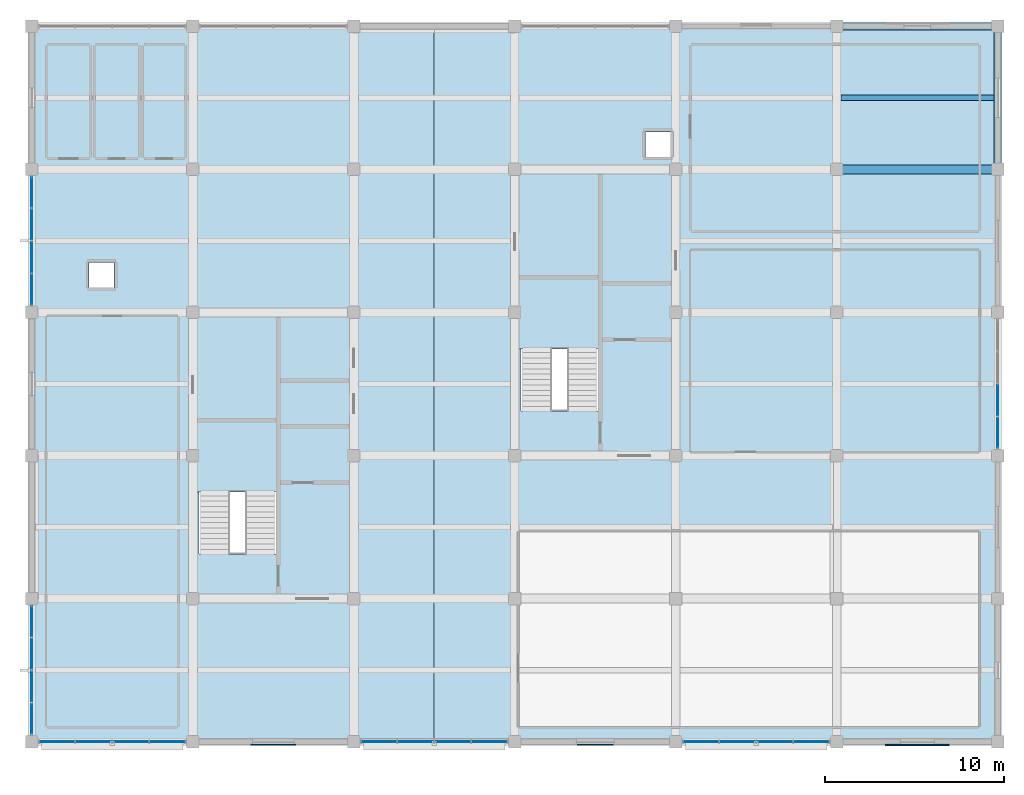
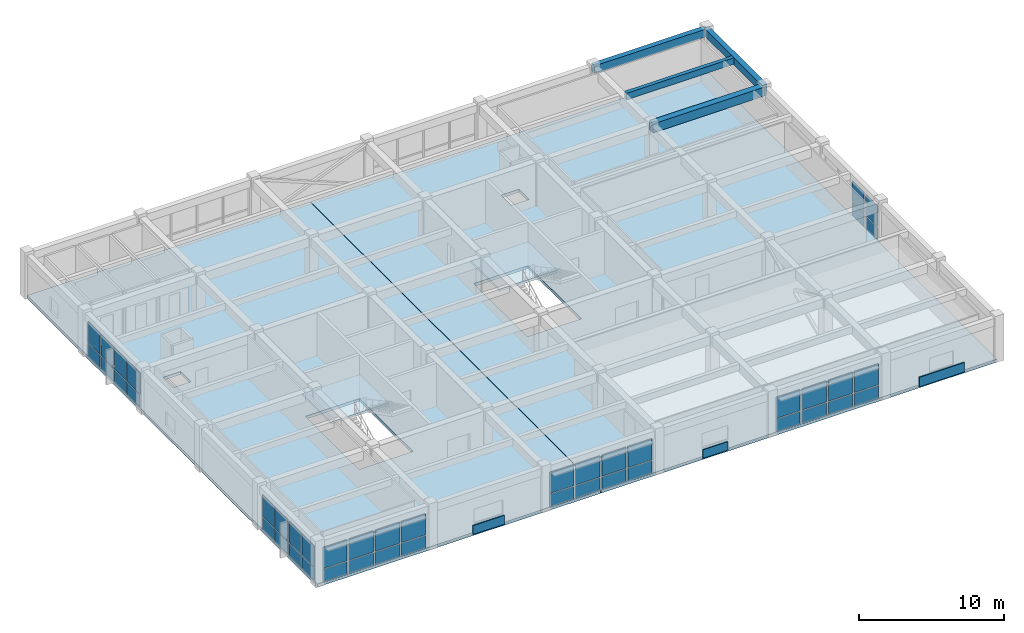
# One storey, part 9 of 13: 47 plates, 4 beams, 4 slabs, 8 elements without a shape of their own.
"""IFC4 building model written with IfcOpenShell, lengths in metres."""

from ifc_helpers import new_model, si_unit, direction, frame, frame_2d, origin, origin_2d, place, context, subcontext, project, spatial, polyline, rectangle, outline, extrude, material, layer, layer_set, material_profile, profile_set, type_object, element, aggregate, save


model = new_model("IFC4")

# Units and contexts
model_context = context("Model", 3, precision=1e-05, world=origin(), true_north=direction((0.0, 1.0)))
body_context = subcontext(model_context, "Body", "Model", "MODEL_VIEW")
ifc_project = project(units=[si_unit("LENGTHUNIT", "METRE"), si_unit("AREAUNIT", "SQUARE_METRE"), si_unit("VOLUMEUNIT", "CUBIC_METRE"), si_unit("PLANEANGLEUNIT", "RADIAN"), si_unit("MASSUNIT", "GRAM", prefix="KILO")], contexts=[model_context])

# Site, building, storey
site_placement = place(None, origin())
site = spatial("IfcSite", under=ifc_project, at=site_placement, CompositionType="ELEMENT")
building_placement = place(site_placement, origin())
building = spatial("IfcBuilding", under=site, at=building_placement, Name="Zaverband Oceanarium and Marine Research Institute", CompositionType="ELEMENT")
storey_placement = place(building_placement, frame((0.0, 0.0, 60.89990234375)))
storey = spatial("IfcBuildingStorey", under=building, at=storey_placement, Name="L15", CompositionType="ELEMENT", Elevation=60.89990234375)

# Beams
ifc_material_1 = material(Name="Concrete C40/50", Category="concrete")
ifc_material_profile_1 = material_profile(ifc_material_1, rectangle(XDim=0.5, YDim=0.75, at=origin_2d()), Name="RC500x750")
ifc_profile_set_1 = profile_set([ifc_material_profile_1], Name="Concrete C40/50")
beam_type_1 = type_object("IfcBeamType", Name="BM-500x750", PredefinedType="BEAM", material=ifc_profile_set_1)
beam_1_placement = place(storey_placement, frame((54.0, 104.0, 3.275146484375), z_axis=(1.0, 0.0, 0.0), x_axis=(0.0, 1.0, 0.0)))
element("IfcBeam", 1, at=beam_1_placement, inside=storey, type_object=beam_type_1, Name="Primary floor girder BM-500x750", PredefinedType="BEAM", context=body_context, shape_type="SweptSolid", body=[
    extrude(rectangle(XDim=0.5, YDim=0.75, at=origin_2d()), origin(), (0.0, 0.0, 1.0), 9.0),
])
ifc_material_profile_2 = material_profile(ifc_material_1, rectangle(XDim=0.300048828125, YDim=0.550048828125, at=origin_2d()), Name="RC300x550")
ifc_profile_set_2 = profile_set([ifc_material_profile_2], Name="Concrete C40/50")
beam_type_2 = type_object("IfcBeamType", Name="JST-300x550", PredefinedType="JOIST", material=ifc_profile_set_2)
beam_2_placement = place(storey_placement, frame((54.25, 108.0, 3.375), z_axis=(1.0, 0.0, 0.0), x_axis=(0.0, 1.0, 0.0)))
element("IfcBeam", 2, at=beam_2_placement, inside=storey, type_object=beam_type_2, Name="Secondary floor joist JST-300x550", PredefinedType="JOIST", context=body_context, shape_type="SweptSolid", body=[
    extrude(rectangle(XDim=0.300048828125, YDim=0.550048828125, at=origin_2d()), origin(), (0.0, 0.0, 1.0), 8.550048828125),
])
ifc_material_profile_3 = material_profile(ifc_material_1, rectangle(XDim=0.39990234375, YDim=0.64990234375, at=origin_2d()), Name="RC400x650")
ifc_profile_set_3 = profile_set([ifc_material_profile_3], Name="Concrete C40/50")
beam_type_3 = type_object("IfcBeamType", Name="SPN-400x650", PredefinedType="SPANDREL", material=ifc_profile_set_3)
beam_3_placement = place(storey_placement, frame((54.0, 112.0, 3.3251953125), z_axis=(1.0, 0.0, 0.0), x_axis=(0.0, 1.0, 0.0)))
element("IfcBeam", 3, at=beam_3_placement, inside=storey, type_object=beam_type_3, Name="Perimeter spandrel beam SPN-400x650", PredefinedType="SPANDREL", context=body_context, shape_type="SweptSolid", body=[
    extrude(rectangle(XDim=0.39990234375, YDim=0.64990234375, at=origin_2d()), origin(), (0.0, 0.0, 1.0), 9.0),
])
beam_4_placement = place(storey_placement, frame((63.0, 104.0, 3.3251953125), z_axis=(0.0, 1.0, 0.0), x_axis=(-1.0, 0.0, 0.0)))
element("IfcBeam", 4, at=beam_4_placement, inside=storey, type_object=beam_type_3, Name="Perimeter spandrel beam SPN-400x650", PredefinedType="SPANDREL", context=body_context, shape_type="SweptSolid", body=[
    extrude(rectangle(XDim=0.39990234375, YDim=0.64990234375, at=origin_2d()), origin(), (0.0, 0.0, 1.0), 8.0),
])

# Curtain wall, plates
ifc_material_2 = material(Name="Thermally broken anodized aluminium and solar-control glass", Category="aluminium")
curtain_wall_type = type_object("IfcCurtainWallType", Name="CW-UNIT-1800", PredefinedType="NOTDEFINED", material=ifc_material_2)
curtain_wall_1_placement = place(storey_placement, origin())
curtain_wall_1 = element("IfcCurtainWall", 5, at=curtain_wall_1_placement, inside=storey, type_object=curtain_wall_type, Name="Unitised glazed curtain wall CW-162", PredefinedType="NOTDEFINED")
ifc_material_3 = material(Name="Low-E double-glazed solar-control glass", Category="glass")
ifc_layer_1 = layer(ifc_material_3, 0.033935546875, Name="Low-E double-glazed solar-control glass")
ifc_layer_set_1 = layer_set([ifc_layer_1], Name="Low-E double-glazed solar-control glass")
plate_type_1 = type_object("IfcPlateType", Name="CWP-1570x1043", PredefinedType="CURTAIN_PANEL", material=ifc_layer_set_1)
plate_1_placement = place(storey_placement, frame((9.0, 72.43505859375, 0.050048828125), z_axis=(0.0, 0.0, 1.0), x_axis=(0.0, 1.0, 0.0)))
plate_1 = element("IfcPlate", 6, at=plate_1_placement, type_object=plate_type_1, Name="Glazed curtain wall panel CWP-1570x1043", PredefinedType="CURTAIN_PANEL", context=body_context, shape_type="SweptSolid", body=[
    extrude(rectangle(XDim=1.662353515625, YDim=0.033935546875, at=frame_2d((0.8310546875, 0.0))), origin(), (0.0, 0.0, 1.0), 1.04296875),
])
plate_2_placement = place(storey_placement, frame((9.0, 74.257568359375, 0.050048828125), z_axis=(0.0, 0.0, 1.0), x_axis=(0.0, 1.0, 0.0)))
plate_2 = element("IfcPlate", 7, at=plate_2_placement, type_object=plate_type_1, Name="Glazed curtain wall panel CWP-1570x1043", PredefinedType="CURTAIN_PANEL", context=body_context, shape_type="SweptSolid", body=[
    extrude(rectangle(XDim=1.662353515625, YDim=0.033935546875, at=frame_2d((0.8310546875, 0.0))), origin(), (0.0, 0.0, 1.0), 1.04296875),
])
plate_3_placement = place(storey_placement, frame((9.0, 76.080078125, 0.050048828125), z_axis=(0.0, 0.0, 1.0), x_axis=(0.0, 1.0, 0.0)))
plate_3 = element("IfcPlate", 8, at=plate_3_placement, type_object=plate_type_1, Name="Glazed curtain wall panel CWP-1570x1043", PredefinedType="CURTAIN_PANEL", context=body_context, shape_type="SweptSolid", body=[
    extrude(rectangle(XDim=1.662353515625, YDim=0.033935546875, at=frame_2d((0.8310546875, 0.0))), origin(), (0.0, 0.0, 1.0), 1.04296875),
])
plate_4_placement = place(storey_placement, frame((9.0, 77.902587890625, 0.050048828125), z_axis=(0.0, 0.0, 1.0), x_axis=(0.0, 1.0, 0.0)))
plate_4 = element("IfcPlate", 9, at=plate_4_placement, type_object=plate_type_1, Name="Glazed curtain wall panel CWP-1570x1043", PredefinedType="CURTAIN_PANEL", context=body_context, shape_type="SweptSolid", body=[
    extrude(rectangle(XDim=1.662353515625, YDim=0.033935546875, at=frame_2d((0.8310546875, 0.0))), origin(), (0.0, 0.0, 1.0), 1.04296875),
])

curtain_wall_2_placement = place(storey_placement, origin())
curtain_wall_2 = element("IfcCurtainWall", 10, at=curtain_wall_2_placement, inside=storey, type_object=curtain_wall_type, Name="Unitised glazed curtain wall CW-163", PredefinedType="NOTDEFINED")
plate_5_placement = place(storey_placement, frame((9.0, 96.43505859375, 0.050048828125), z_axis=(0.0, 0.0, 1.0), x_axis=(0.0, 1.0, 0.0)))
plate_5 = element("IfcPlate", 11, at=plate_5_placement, type_object=plate_type_1, Name="Glazed curtain wall panel CWP-1570x1043", PredefinedType="CURTAIN_PANEL", context=body_context, shape_type="SweptSolid", body=[
    extrude(rectangle(XDim=1.662353515625, YDim=0.033935546875, at=frame_2d((0.8310546875, 0.0))), origin(), (0.0, 0.0, 1.0), 1.04296875),
])
plate_6_placement = place(storey_placement, frame((9.0, 98.257568359375, 0.050048828125), z_axis=(0.0, 0.0, 1.0), x_axis=(0.0, 1.0, 0.0)))
plate_6 = element("IfcPlate", 12, at=plate_6_placement, type_object=plate_type_1, Name="Glazed curtain wall panel CWP-1570x1043", PredefinedType="CURTAIN_PANEL", context=body_context, shape_type="SweptSolid", body=[
    extrude(rectangle(XDim=1.662353515625, YDim=0.033935546875, at=frame_2d((0.8310546875, 0.0))), origin(), (0.0, 0.0, 1.0), 1.04296875),
])
plate_7_placement = place(storey_placement, frame((9.0, 100.080078125, 0.050048828125), z_axis=(0.0, 0.0, 1.0), x_axis=(0.0, 1.0, 0.0)))
plate_7 = element("IfcPlate", 13, at=plate_7_placement, type_object=plate_type_1, Name="Glazed curtain wall panel CWP-1570x1043", PredefinedType="CURTAIN_PANEL", context=body_context, shape_type="SweptSolid", body=[
    extrude(rectangle(XDim=1.662353515625, YDim=0.033935546875, at=frame_2d((0.8310546875, 0.0))), origin(), (0.0, 0.0, 1.0), 1.04296875),
])
plate_8_placement = place(storey_placement, frame((9.0, 101.902587890625, 0.050048828125), z_axis=(0.0, 0.0, 1.0), x_axis=(0.0, 1.0, 0.0)))
plate_8 = element("IfcPlate", 14, at=plate_8_placement, type_object=plate_type_1, Name="Glazed curtain wall panel CWP-1570x1043", PredefinedType="CURTAIN_PANEL", context=body_context, shape_type="SweptSolid", body=[
    extrude(rectangle(XDim=1.662353515625, YDim=0.033935546875, at=frame_2d((0.8310546875, 0.0))), origin(), (0.0, 0.0, 1.0), 1.04296875),
])

curtain_wall_3_placement = place(storey_placement, origin())
curtain_wall_3 = element("IfcCurtainWall", 15, at=curtain_wall_3_placement, inside=storey, type_object=curtain_wall_type, Name="Unitised glazed curtain wall CW-164", PredefinedType="NOTDEFINED")
plate_9_placement = place(storey_placement, frame((63.0, 88.43505859375, 0.050048828125), z_axis=(0.0, 0.0, 1.0), x_axis=(0.0, 1.0, 0.0)))
plate_9 = element("IfcPlate", 16, at=plate_9_placement, type_object=plate_type_1, Name="Glazed curtain wall panel CWP-1570x1043", PredefinedType="CURTAIN_PANEL", context=body_context, shape_type="SweptSolid", body=[
    extrude(rectangle(XDim=1.662353515625, YDim=0.033935546875, at=frame_2d((0.8310546875, 0.0))), origin(), (0.0, 0.0, 1.0), 1.04296875),
])
plate_10_placement = place(storey_placement, frame((63.0, 90.257568359375, 0.050048828125), z_axis=(0.0, 0.0, 1.0), x_axis=(0.0, 1.0, 0.0)))
plate_10 = element("IfcPlate", 17, at=plate_10_placement, type_object=plate_type_1, Name="Glazed curtain wall panel CWP-1570x1043", PredefinedType="CURTAIN_PANEL", context=body_context, shape_type="SweptSolid", body=[
    extrude(rectangle(XDim=1.662353515625, YDim=0.033935546875, at=frame_2d((0.8310546875, 0.0))), origin(), (0.0, 0.0, 1.0), 1.04296875),
])

# Plate
ifc_layer_2 = layer(ifc_material_3, 0.035888671875, Name="Low-E double-glazed solar-control glass")
ifc_layer_set_2 = layer_set([ifc_layer_2], Name="Low-E double-glazed solar-control glass")
plate_type_2 = type_object("IfcPlateType", Name="CWP-1570x1777", PredefinedType="CURTAIN_PANEL", material=ifc_layer_set_2)
plate_11_placement = place(storey_placement, frame((9.0, 72.43505859375, 1.1630859375), z_axis=(0.0, 0.0, 1.0), x_axis=(0.0, 1.0, 0.0)))
plate_11 = element("IfcPlate", 18, at=plate_11_placement, type_object=plate_type_2, Name="Glazed curtain wall panel CWP-1570x1777", PredefinedType="CURTAIN_PANEL", context=body_context, shape_type="SweptSolid", body=[
    extrude(rectangle(XDim=1.662353515625, YDim=0.035888671875, at=frame_2d((0.8310546875, 0.0))), origin(), (0.0, 0.0, 1.0), 1.777099609375),
])

plate_12_placement = place(storey_placement, frame((9.0, 74.257568359375, 1.1630859375), z_axis=(0.0, 0.0, 1.0), x_axis=(0.0, 1.0, 0.0)))
plate_12 = element("IfcPlate", 19, at=plate_12_placement, type_object=plate_type_2, Name="Glazed curtain wall panel CWP-1570x1777", PredefinedType="CURTAIN_PANEL", context=body_context, shape_type="SweptSolid", body=[
    extrude(rectangle(XDim=1.662353515625, YDim=0.035888671875, at=frame_2d((0.8310546875, 0.0))), origin(), (0.0, 0.0, 1.0), 1.777099609375),
])

plate_13_placement = place(storey_placement, frame((9.0, 76.080078125, 1.1630859375), z_axis=(0.0, 0.0, 1.0), x_axis=(0.0, 1.0, 0.0)))
plate_13 = element("IfcPlate", 20, at=plate_13_placement, type_object=plate_type_2, Name="Glazed curtain wall panel CWP-1570x1777", PredefinedType="CURTAIN_PANEL", context=body_context, shape_type="SweptSolid", body=[
    extrude(rectangle(XDim=1.662353515625, YDim=0.035888671875, at=frame_2d((0.8310546875, 0.0))), origin(), (0.0, 0.0, 1.0), 1.777099609375),
])

plate_14_placement = place(storey_placement, frame((9.0, 77.902587890625, 1.1630859375), z_axis=(0.0, 0.0, 1.0), x_axis=(0.0, 1.0, 0.0)))
plate_14 = element("IfcPlate", 21, at=plate_14_placement, type_object=plate_type_2, Name="Glazed curtain wall panel CWP-1570x1777", PredefinedType="CURTAIN_PANEL", context=body_context, shape_type="SweptSolid", body=[
    extrude(rectangle(XDim=1.662353515625, YDim=0.035888671875, at=frame_2d((0.8310546875, 0.0))), origin(), (0.0, 0.0, 1.0), 1.777099609375),
])

aggregate(curtain_wall_1, [plate_1, plate_11, plate_2, plate_12, plate_3, plate_13, plate_4, plate_14])

plate_15_placement = place(storey_placement, frame((9.0, 96.43505859375, 1.1630859375), z_axis=(0.0, 0.0, 1.0), x_axis=(0.0, 1.0, 0.0)))
plate_15 = element("IfcPlate", 22, at=plate_15_placement, type_object=plate_type_2, Name="Glazed curtain wall panel CWP-1570x1777", PredefinedType="CURTAIN_PANEL", context=body_context, shape_type="SweptSolid", body=[
    extrude(rectangle(XDim=1.662353515625, YDim=0.035888671875, at=frame_2d((0.8310546875, 0.0))), origin(), (0.0, 0.0, 1.0), 1.777099609375),
])

plate_16_placement = place(storey_placement, frame((9.0, 98.257568359375, 1.1630859375), z_axis=(0.0, 0.0, 1.0), x_axis=(0.0, 1.0, 0.0)))
plate_16 = element("IfcPlate", 23, at=plate_16_placement, type_object=plate_type_2, Name="Glazed curtain wall panel CWP-1570x1777", PredefinedType="CURTAIN_PANEL", context=body_context, shape_type="SweptSolid", body=[
    extrude(rectangle(XDim=1.662353515625, YDim=0.035888671875, at=frame_2d((0.8310546875, 0.0))), origin(), (0.0, 0.0, 1.0), 1.777099609375),
])

plate_17_placement = place(storey_placement, frame((9.0, 100.080078125, 1.1630859375), z_axis=(0.0, 0.0, 1.0), x_axis=(0.0, 1.0, 0.0)))
plate_17 = element("IfcPlate", 24, at=plate_17_placement, type_object=plate_type_2, Name="Glazed curtain wall panel CWP-1570x1777", PredefinedType="CURTAIN_PANEL", context=body_context, shape_type="SweptSolid", body=[
    extrude(rectangle(XDim=1.662353515625, YDim=0.035888671875, at=frame_2d((0.8310546875, 0.0))), origin(), (0.0, 0.0, 1.0), 1.777099609375),
])

plate_18_placement = place(storey_placement, frame((9.0, 101.902587890625, 1.1630859375), z_axis=(0.0, 0.0, 1.0), x_axis=(0.0, 1.0, 0.0)))
plate_18 = element("IfcPlate", 25, at=plate_18_placement, type_object=plate_type_2, Name="Glazed curtain wall panel CWP-1570x1777", PredefinedType="CURTAIN_PANEL", context=body_context, shape_type="SweptSolid", body=[
    extrude(rectangle(XDim=1.662353515625, YDim=0.035888671875, at=frame_2d((0.8310546875, 0.0))), origin(), (0.0, 0.0, 1.0), 1.777099609375),
])

aggregate(curtain_wall_2, [plate_5, plate_15, plate_6, plate_16, plate_7, plate_17, plate_8, plate_18])

plate_19_placement = place(storey_placement, frame((63.0, 88.43505859375, 1.1630859375), z_axis=(0.0, 0.0, 1.0), x_axis=(0.0, 1.0, 0.0)))
plate_19 = element("IfcPlate", 26, at=plate_19_placement, type_object=plate_type_2, Name="Glazed curtain wall panel CWP-1570x1777", PredefinedType="CURTAIN_PANEL", context=body_context, shape_type="SweptSolid", body=[
    extrude(rectangle(XDim=1.662353515625, YDim=0.035888671875, at=frame_2d((0.8310546875, 0.0))), origin(), (0.0, 0.0, 1.0), 1.777099609375),
])

plate_20_placement = place(storey_placement, frame((63.0, 90.257568359375, 1.1630859375), z_axis=(0.0, 0.0, 1.0), x_axis=(0.0, 1.0, 0.0)))
plate_20 = element("IfcPlate", 27, at=plate_20_placement, type_object=plate_type_2, Name="Glazed curtain wall panel CWP-1570x1777", PredefinedType="CURTAIN_PANEL", context=body_context, shape_type="SweptSolid", body=[
    extrude(rectangle(XDim=1.662353515625, YDim=0.035888671875, at=frame_2d((0.8310546875, 0.0))), origin(), (0.0, 0.0, 1.0), 1.777099609375),
])

aggregate(curtain_wall_3, [plate_9, plate_19, plate_10, plate_20])

# Curtain wall, plates
curtain_wall_4_placement = place(storey_placement, origin())
curtain_wall_4 = element("IfcCurtainWall", 28, at=curtain_wall_4_placement, inside=storey, type_object=curtain_wall_type, Name="Unitised glazed curtain wall CW-156", PredefinedType="NOTDEFINED")
ifc_layer_3 = layer(ifc_material_3, 0.033935546875, Name="Low-E double-glazed solar-control glass")
ifc_layer_set_3 = layer_set([ifc_layer_3], Name="Low-E double-glazed solar-control glass")
plate_type_3 = type_object("IfcPlateType", Name="CWP-1820x1043", PredefinedType="CURTAIN_PANEL", material=ifc_layer_set_3)
plate_21_placement = place(storey_placement, frame((9.43505859375, 72.0, 0.050048828125), z_axis=(0.0, 0.0, 1.0), x_axis=(1.0, 0.0, 0.0)))
plate_21 = element("IfcPlate", 29, at=plate_21_placement, type_object=plate_type_3, Name="Glazed curtain wall panel CWP-1820x1043", PredefinedType="CURTAIN_PANEL", context=body_context, shape_type="SweptSolid", body=[
    extrude(rectangle(XDim=1.912353515625, YDim=0.033935546875, at=frame_2d((0.9560546875, 0.0))), origin(), (0.0, 0.0, 1.0), 1.04296875),
])
plate_22_placement = place(storey_placement, frame((11.507568359375, 72.0, 0.050048828125), z_axis=(0.0, 0.0, 1.0), x_axis=(1.0, 0.0, 0.0)))
plate_22 = element("IfcPlate", 30, at=plate_22_placement, type_object=plate_type_3, Name="Glazed curtain wall panel CWP-1820x1043", PredefinedType="CURTAIN_PANEL", context=body_context, shape_type="SweptSolid", body=[
    extrude(rectangle(XDim=1.912353515625, YDim=0.033935546875, at=frame_2d((0.9560546875, 0.0))), origin(), (0.0, 0.0, 1.0), 1.04296875),
])
plate_23_placement = place(storey_placement, frame((13.580078125, 72.0, 0.050048828125), z_axis=(0.0, 0.0, 1.0), x_axis=(1.0, 0.0, 0.0)))
plate_23 = element("IfcPlate", 31, at=plate_23_placement, type_object=plate_type_3, Name="Glazed curtain wall panel CWP-1820x1043", PredefinedType="CURTAIN_PANEL", context=body_context, shape_type="SweptSolid", body=[
    extrude(rectangle(XDim=1.912353515625, YDim=0.033935546875, at=frame_2d((0.9560546875, 0.0))), origin(), (0.0, 0.0, 1.0), 1.04296875),
])
plate_24_placement = place(storey_placement, frame((15.652587890625, 72.0, 0.050048828125), z_axis=(0.0, 0.0, 1.0), x_axis=(1.0, 0.0, 0.0)))
plate_24 = element("IfcPlate", 32, at=plate_24_placement, type_object=plate_type_3, Name="Glazed curtain wall panel CWP-1820x1043", PredefinedType="CURTAIN_PANEL", context=body_context, shape_type="SweptSolid", body=[
    extrude(rectangle(XDim=1.912353515625, YDim=0.033935546875, at=frame_2d((0.9560546875, 0.0))), origin(), (0.0, 0.0, 1.0), 1.04296875),
])

curtain_wall_5_placement = place(storey_placement, origin())
curtain_wall_5 = element("IfcCurtainWall", 33, at=curtain_wall_5_placement, inside=storey, type_object=curtain_wall_type, Name="Unitised glazed curtain wall CW-157", PredefinedType="NOTDEFINED")
plate_25_placement = place(storey_placement, frame((27.43505859375, 72.0, 0.050048828125), z_axis=(0.0, 0.0, 1.0), x_axis=(1.0, 0.0, 0.0)))
plate_25 = element("IfcPlate", 34, at=plate_25_placement, type_object=plate_type_3, Name="Glazed curtain wall panel CWP-1820x1043", PredefinedType="CURTAIN_PANEL", context=body_context, shape_type="SweptSolid", body=[
    extrude(rectangle(XDim=1.912353515625, YDim=0.033935546875, at=frame_2d((0.9560546875, 0.0))), origin(), (0.0, 0.0, 1.0), 1.04296875),
])
plate_26_placement = place(storey_placement, frame((29.507568359375, 72.0, 0.050048828125), z_axis=(0.0, 0.0, 1.0), x_axis=(1.0, 0.0, 0.0)))
plate_26 = element("IfcPlate", 35, at=plate_26_placement, type_object=plate_type_3, Name="Glazed curtain wall panel CWP-1820x1043", PredefinedType="CURTAIN_PANEL", context=body_context, shape_type="SweptSolid", body=[
    extrude(rectangle(XDim=1.912353515625, YDim=0.033935546875, at=frame_2d((0.9560546875, 0.0))), origin(), (0.0, 0.0, 1.0), 1.04296875),
])
plate_27_placement = place(storey_placement, frame((31.580078125, 72.0, 0.050048828125), z_axis=(0.0, 0.0, 1.0), x_axis=(1.0, 0.0, 0.0)))
plate_27 = element("IfcPlate", 36, at=plate_27_placement, type_object=plate_type_3, Name="Glazed curtain wall panel CWP-1820x1043", PredefinedType="CURTAIN_PANEL", context=body_context, shape_type="SweptSolid", body=[
    extrude(rectangle(XDim=1.912353515625, YDim=0.033935546875, at=frame_2d((0.9560546875, 0.0))), origin(), (0.0, 0.0, 1.0), 1.04296875),
])
plate_28_placement = place(storey_placement, frame((33.652587890625, 72.0, 0.050048828125), z_axis=(0.0, 0.0, 1.0), x_axis=(1.0, 0.0, 0.0)))
plate_28 = element("IfcPlate", 37, at=plate_28_placement, type_object=plate_type_3, Name="Glazed curtain wall panel CWP-1820x1043", PredefinedType="CURTAIN_PANEL", context=body_context, shape_type="SweptSolid", body=[
    extrude(rectangle(XDim=1.912353515625, YDim=0.033935546875, at=frame_2d((0.9560546875, 0.0))), origin(), (0.0, 0.0, 1.0), 1.04296875),
])

curtain_wall_6_placement = place(storey_placement, origin())
curtain_wall_6 = element("IfcCurtainWall", 38, at=curtain_wall_6_placement, inside=storey, type_object=curtain_wall_type, Name="Unitised glazed curtain wall CW-158", PredefinedType="NOTDEFINED")
plate_29_placement = place(storey_placement, frame((45.43505859375, 72.0, 0.050048828125), z_axis=(0.0, 0.0, 1.0), x_axis=(1.0, 0.0, 0.0)))
plate_29 = element("IfcPlate", 39, at=plate_29_placement, type_object=plate_type_3, Name="Glazed curtain wall panel CWP-1820x1043", PredefinedType="CURTAIN_PANEL", context=body_context, shape_type="SweptSolid", body=[
    extrude(rectangle(XDim=1.912353515625, YDim=0.033935546875, at=frame_2d((0.9560546875, 0.0))), origin(), (0.0, 0.0, 1.0), 1.04296875),
])
plate_30_placement = place(storey_placement, frame((47.507568359375, 72.0, 0.050048828125), z_axis=(0.0, 0.0, 1.0), x_axis=(1.0, 0.0, 0.0)))
plate_30 = element("IfcPlate", 40, at=plate_30_placement, type_object=plate_type_3, Name="Glazed curtain wall panel CWP-1820x1043", PredefinedType="CURTAIN_PANEL", context=body_context, shape_type="SweptSolid", body=[
    extrude(rectangle(XDim=1.912353515625, YDim=0.033935546875, at=frame_2d((0.9560546875, 0.0))), origin(), (0.0, 0.0, 1.0), 1.04296875),
])
plate_31_placement = place(storey_placement, frame((49.580078125, 72.0, 0.050048828125), z_axis=(0.0, 0.0, 1.0), x_axis=(1.0, 0.0, 0.0)))
plate_31 = element("IfcPlate", 41, at=plate_31_placement, type_object=plate_type_3, Name="Glazed curtain wall panel CWP-1820x1043", PredefinedType="CURTAIN_PANEL", context=body_context, shape_type="SweptSolid", body=[
    extrude(rectangle(XDim=1.912353515625, YDim=0.033935546875, at=frame_2d((0.9560546875, 0.0))), origin(), (0.0, 0.0, 1.0), 1.04296875),
])
plate_32_placement = place(storey_placement, frame((51.652587890625, 72.0, 0.050048828125), z_axis=(0.0, 0.0, 1.0), x_axis=(1.0, 0.0, 0.0)))
plate_32 = element("IfcPlate", 42, at=plate_32_placement, type_object=plate_type_3, Name="Glazed curtain wall panel CWP-1820x1043", PredefinedType="CURTAIN_PANEL", context=body_context, shape_type="SweptSolid", body=[
    extrude(rectangle(XDim=1.912353515625, YDim=0.033935546875, at=frame_2d((0.9560546875, 0.0))), origin(), (0.0, 0.0, 1.0), 1.04296875),
])

# Plate
ifc_layer_4 = layer(ifc_material_3, 0.035888671875, Name="Low-E double-glazed solar-control glass")
ifc_layer_set_4 = layer_set([ifc_layer_4], Name="Low-E double-glazed solar-control glass")
plate_type_4 = type_object("IfcPlateType", Name="CWP-1820x1777", PredefinedType="CURTAIN_PANEL", material=ifc_layer_set_4)
plate_33_placement = place(storey_placement, frame((9.43505859375, 72.0, 1.1630859375), z_axis=(0.0, 0.0, 1.0), x_axis=(1.0, 0.0, 0.0)))
plate_33 = element("IfcPlate", 43, at=plate_33_placement, type_object=plate_type_4, Name="Glazed curtain wall panel CWP-1820x1777", PredefinedType="CURTAIN_PANEL", context=body_context, shape_type="SweptSolid", body=[
    extrude(rectangle(XDim=1.912353515625, YDim=0.035888671875, at=frame_2d((0.9560546875, 0.0))), origin(), (0.0, 0.0, 1.0), 1.777099609375),
])

plate_34_placement = place(storey_placement, frame((11.507568359375, 72.0, 1.1630859375), z_axis=(0.0, 0.0, 1.0), x_axis=(1.0, 0.0, 0.0)))
plate_34 = element("IfcPlate", 44, at=plate_34_placement, type_object=plate_type_4, Name="Glazed curtain wall panel CWP-1820x1777", PredefinedType="CURTAIN_PANEL", context=body_context, shape_type="SweptSolid", body=[
    extrude(rectangle(XDim=1.912353515625, YDim=0.035888671875, at=frame_2d((0.9560546875, 0.0))), origin(), (0.0, 0.0, 1.0), 1.777099609375),
])

plate_35_placement = place(storey_placement, frame((13.580078125, 72.0, 1.1630859375), z_axis=(0.0, 0.0, 1.0), x_axis=(1.0, 0.0, 0.0)))
plate_35 = element("IfcPlate", 45, at=plate_35_placement, type_object=plate_type_4, Name="Glazed curtain wall panel CWP-1820x1777", PredefinedType="CURTAIN_PANEL", context=body_context, shape_type="SweptSolid", body=[
    extrude(rectangle(XDim=1.912353515625, YDim=0.035888671875, at=frame_2d((0.9560546875, 0.0))), origin(), (0.0, 0.0, 1.0), 1.777099609375),
])

plate_36_placement = place(storey_placement, frame((15.652587890625, 72.0, 1.1630859375), z_axis=(0.0, 0.0, 1.0), x_axis=(1.0, 0.0, 0.0)))
plate_36 = element("IfcPlate", 46, at=plate_36_placement, type_object=plate_type_4, Name="Glazed curtain wall panel CWP-1820x1777", PredefinedType="CURTAIN_PANEL", context=body_context, shape_type="SweptSolid", body=[
    extrude(rectangle(XDim=1.912353515625, YDim=0.035888671875, at=frame_2d((0.9560546875, 0.0))), origin(), (0.0, 0.0, 1.0), 1.777099609375),
])

aggregate(curtain_wall_4, [plate_21, plate_33, plate_22, plate_34, plate_23, plate_35, plate_24, plate_36])

plate_37_placement = place(storey_placement, frame((27.43505859375, 72.0, 1.1630859375), z_axis=(0.0, 0.0, 1.0), x_axis=(1.0, 0.0, 0.0)))
plate_37 = element("IfcPlate", 47, at=plate_37_placement, type_object=plate_type_4, Name="Glazed curtain wall panel CWP-1820x1777", PredefinedType="CURTAIN_PANEL", context=body_context, shape_type="SweptSolid", body=[
    extrude(rectangle(XDim=1.912353515625, YDim=0.035888671875, at=frame_2d((0.9560546875, 0.0))), origin(), (0.0, 0.0, 1.0), 1.777099609375),
])

plate_38_placement = place(storey_placement, frame((29.507568359375, 72.0, 1.1630859375), z_axis=(0.0, 0.0, 1.0), x_axis=(1.0, 0.0, 0.0)))
plate_38 = element("IfcPlate", 48, at=plate_38_placement, type_object=plate_type_4, Name="Glazed curtain wall panel CWP-1820x1777", PredefinedType="CURTAIN_PANEL", context=body_context, shape_type="SweptSolid", body=[
    extrude(rectangle(XDim=1.912353515625, YDim=0.035888671875, at=frame_2d((0.9560546875, 0.0))), origin(), (0.0, 0.0, 1.0), 1.777099609375),
])

plate_39_placement = place(storey_placement, frame((31.580078125, 72.0, 1.1630859375), z_axis=(0.0, 0.0, 1.0), x_axis=(1.0, 0.0, 0.0)))
plate_39 = element("IfcPlate", 49, at=plate_39_placement, type_object=plate_type_4, Name="Glazed curtain wall panel CWP-1820x1777", PredefinedType="CURTAIN_PANEL", context=body_context, shape_type="SweptSolid", body=[
    extrude(rectangle(XDim=1.912353515625, YDim=0.035888671875, at=frame_2d((0.9560546875, 0.0))), origin(), (0.0, 0.0, 1.0), 1.777099609375),
])

plate_40_placement = place(storey_placement, frame((33.652587890625, 72.0, 1.1630859375), z_axis=(0.0, 0.0, 1.0), x_axis=(1.0, 0.0, 0.0)))
plate_40 = element("IfcPlate", 50, at=plate_40_placement, type_object=plate_type_4, Name="Glazed curtain wall panel CWP-1820x1777", PredefinedType="CURTAIN_PANEL", context=body_context, shape_type="SweptSolid", body=[
    extrude(rectangle(XDim=1.912353515625, YDim=0.035888671875, at=frame_2d((0.9560546875, 0.0))), origin(), (0.0, 0.0, 1.0), 1.777099609375),
])

aggregate(curtain_wall_5, [plate_25, plate_37, plate_26, plate_38, plate_27, plate_39, plate_28, plate_40])

plate_41_placement = place(storey_placement, frame((45.43505859375, 72.0, 1.1630859375), z_axis=(0.0, 0.0, 1.0), x_axis=(1.0, 0.0, 0.0)))
plate_41 = element("IfcPlate", 51, at=plate_41_placement, type_object=plate_type_4, Name="Glazed curtain wall panel CWP-1820x1777", PredefinedType="CURTAIN_PANEL", context=body_context, shape_type="SweptSolid", body=[
    extrude(rectangle(XDim=1.912353515625, YDim=0.035888671875, at=frame_2d((0.9560546875, 0.0))), origin(), (0.0, 0.0, 1.0), 1.777099609375),
])

plate_42_placement = place(storey_placement, frame((47.507568359375, 72.0, 1.1630859375), z_axis=(0.0, 0.0, 1.0), x_axis=(1.0, 0.0, 0.0)))
plate_42 = element("IfcPlate", 52, at=plate_42_placement, type_object=plate_type_4, Name="Glazed curtain wall panel CWP-1820x1777", PredefinedType="CURTAIN_PANEL", context=body_context, shape_type="SweptSolid", body=[
    extrude(rectangle(XDim=1.912353515625, YDim=0.035888671875, at=frame_2d((0.9560546875, 0.0))), origin(), (0.0, 0.0, 1.0), 1.777099609375),
])

plate_43_placement = place(storey_placement, frame((49.580078125, 72.0, 1.1630859375), z_axis=(0.0, 0.0, 1.0), x_axis=(1.0, 0.0, 0.0)))
plate_43 = element("IfcPlate", 53, at=plate_43_placement, type_object=plate_type_4, Name="Glazed curtain wall panel CWP-1820x1777", PredefinedType="CURTAIN_PANEL", context=body_context, shape_type="SweptSolid", body=[
    extrude(rectangle(XDim=1.912353515625, YDim=0.035888671875, at=frame_2d((0.9560546875, 0.0))), origin(), (0.0, 0.0, 1.0), 1.777099609375),
])

plate_44_placement = place(storey_placement, frame((51.652587890625, 72.0, 1.1630859375), z_axis=(0.0, 0.0, 1.0), x_axis=(1.0, 0.0, 0.0)))
plate_44 = element("IfcPlate", 54, at=plate_44_placement, type_object=plate_type_4, Name="Glazed curtain wall panel CWP-1820x1777", PredefinedType="CURTAIN_PANEL", context=body_context, shape_type="SweptSolid", body=[
    extrude(rectangle(XDim=1.912353515625, YDim=0.035888671875, at=frame_2d((0.9560546875, 0.0))), origin(), (0.0, 0.0, 1.0), 1.777099609375),
])

aggregate(curtain_wall_6, [plate_29, plate_41, plate_30, plate_42, plate_31, plate_43, plate_32, plate_44])

# Plates
ifc_material_4 = material(Name="Concrete C40/50 precast ochre", Category="concrete")
ifc_layer_5 = layer(ifc_material_4, 0.070068359375, Name="Concrete C40/50 precast ochre")
ifc_layer_set_5 = layer_set([ifc_layer_5], Name="Concrete C40/50 precast ochre")
plate_type_5 = type_object("IfcPlateType", Name="FRP-2000x720", PredefinedType="USERDEFINED", material=ifc_layer_set_5)
plate_45_placement = place(storey_placement, frame((39.5, 71.8349609375, 0.0), z_axis=(0.0, 0.0, 1.0), x_axis=(1.0, 0.0, 0.0)))
element("IfcPlate", 55, at=plate_45_placement, inside=storey, type_object=plate_type_5, Name="Geometric precast facade cladding panel FRP-2000x720", ObjectType="FLANGE_PLATE", PredefinedType="USERDEFINED", context=body_context, shape_type="SweptSolid", body=[
    extrude(rectangle(XDim=2.0, YDim=0.070068359375, at=frame_2d((1.0, 0.0))), origin(), (0.0, 0.0, 1.0), 0.72021484375),
])
ifc_layer_6 = layer(ifc_material_4, 0.074951171875, Name="Concrete C40/50 precast ochre")
ifc_layer_set_6 = layer_set([ifc_layer_6], Name="Concrete C40/50 precast ochre")
plate_type_6 = type_object("IfcPlateType", Name="FRP-2500x750", PredefinedType="USERDEFINED", material=ifc_layer_set_6)
plate_46_placement = place(storey_placement, frame((21.25, 71.83251953125, 0.0), z_axis=(0.0, 0.0, 1.0), x_axis=(1.0, 0.0, 0.0)))
element("IfcPlate", 56, at=plate_46_placement, inside=storey, type_object=plate_type_6, Name="Geometric precast facade cladding panel FRP-2500x750", ObjectType="FLANGE_PLATE", PredefinedType="USERDEFINED", context=body_context, shape_type="SweptSolid", body=[
    extrude(rectangle(XDim=2.5, YDim=0.074951171875, at=frame_2d((1.25, 0.0))), origin(), (0.0, 0.0, 1.0), 0.75),
])
ifc_layer_7 = layer(ifc_material_4, 0.0849609375, Name="Concrete C40/50 precast ochre")
ifc_layer_set_7 = layer_set([ifc_layer_7], Name="Concrete C40/50 precast ochre")
plate_type_7 = type_object("IfcPlateType", Name="FRP-3600x800", PredefinedType="USERDEFINED", material=ifc_layer_set_7)
plate_47_placement = place(storey_placement, frame((56.699951171875, 71.827392578125, 0.0), z_axis=(0.0, 0.0, 1.0), x_axis=(1.0, 0.0, 0.0)))
element("IfcPlate", 57, at=plate_47_placement, inside=storey, type_object=plate_type_7, Name="Geometric precast facade cladding panel FRP-3600x800", ObjectType="FLANGE_PLATE", PredefinedType="USERDEFINED", context=body_context, shape_type="SweptSolid", body=[
    extrude(rectangle(XDim=3.60009765625, YDim=0.0849609375, at=frame_2d((1.800048828125, 0.0))), origin(), (0.0, 0.0, 1.0), 0.800048828125),
])

# Slabs
ifc_layer_8 = layer(ifc_material_1, 0.25, Name="Concrete C40/50")
ifc_layer_set_8 = layer_set([ifc_layer_8], Name="Concrete C40/50")
slab_type_1 = type_object("IfcSlabType", Name="SLB-LAB-250", PredefinedType="FLOOR", material=ifc_layer_set_8)
slab_1_placement = place(storey_placement, frame((0.0, 0.0, -0.25)))
element("IfcSlab", 58, at=slab_1_placement, inside=storey, type_object=slab_type_1, Name="Suspended floor slab SLB-LAB-250", PredefinedType="FLOOR", context=body_context, shape_type="SweptSolid", body=[
    extrude(outline(polyline([(9.0, 112.0), (31.485107421875, 112.0), (31.485107421875, 72.0), (9.0, 72.0), (9.0, 112.0)]), holes=[polyline([(18.35009765625, 89.85009765625), (18.35009765625, 82.5), (22.64990234375, 82.5), (22.64990234375, 89.85009765625), (18.35009765625, 89.85009765625)]), polyline([(12.199951171875, 98.800048828125), (12.199951171875, 97.39990234375), (13.60009765625, 97.39990234375), (13.60009765625, 98.800048828125), (12.199951171875, 98.800048828125)])]), origin(), (0.0, 0.0, 1.0), 0.25),
])
slab_2_placement = place(storey_placement, frame((0.0, 0.0, -0.25)))
element("IfcSlab", 59, at=slab_2_placement, inside=storey, type_object=slab_type_1, Name="Suspended floor slab SLB-LAB-250", PredefinedType="FLOOR", context=body_context, shape_type="SweptSolid", body=[
    extrude(outline(polyline([(31.514892578125, 112.0), (63.0, 112.0), (63.0, 72.0), (31.514892578125, 72.0), (31.514892578125, 112.0)]), holes=[polyline([(36.35009765625, 97.85009765625), (36.35009765625, 90.5), (40.64990234375, 90.5), (40.64990234375, 97.85009765625), (36.35009765625, 97.85009765625)]), polyline([(43.300048828125, 106.10009765625), (43.300048828125, 104.699951171875), (44.699951171875, 104.699951171875), (44.699951171875, 106.10009765625), (43.300048828125, 106.10009765625)])]), origin(), (0.0, 0.0, 1.0), 0.25),
])

# Stair, slab
stair_type = type_object("IfcStairType", Name="STR-TWR-1650-3900", PredefinedType="HALF_TURN_STAIR", material=ifc_material_1)
stair_1_placement = place(storey_placement, origin())
stair_1 = element("IfcStair", 60, at=stair_1_placement, inside=storey, type_object=stair_type, Name="Exit Stair ST-01 (L15)", PredefinedType="HALF_TURN_STAIR")
ifc_layer_9 = layer(ifc_material_1, 0.199951171875, Name="Concrete C40/50")
ifc_layer_set_9 = layer_set([ifc_layer_9], Name="Concrete C40/50")
slab_type_2 = type_object("IfcSlabType", Name="SLB-LND-200", PredefinedType="LANDING", material=ifc_layer_set_9)
slab_3_placement = place(storey_placement, frame((0.0, 0.0, 1.75)))
slab_3 = element("IfcSlab", 61, at=slab_3_placement, type_object=slab_type_2, Name="Stair / ramp landing slab SLB-LND-200", PredefinedType="LANDING", context=body_context, shape_type="SweptSolid", body=[
    extrude(outline(polyline([(18.139892578125, 85.969970703125), (22.735107421875, 85.969970703125), (22.735107421875, 89.93505859375), (18.139892578125, 89.93505859375), (18.139892578125, 85.969970703125)])), origin(), (0.0, 0.0, 1.0), 0.2001953125),
])
aggregate(stair_1, [slab_3])

stair_2_placement = place(storey_placement, origin())
stair_2 = element("IfcStair", 62, at=stair_2_placement, inside=storey, type_object=stair_type, Name="Exit Stair ST-02 (L15)", PredefinedType="HALF_TURN_STAIR")
slab_4_placement = place(storey_placement, frame((0.0, 0.0, 1.75)))
slab_4 = element("IfcSlab", 63, at=slab_4_placement, type_object=slab_type_2, Name="Stair / ramp landing slab SLB-LND-200", PredefinedType="LANDING", context=body_context, shape_type="SweptSolid", body=[
    extrude(outline(polyline([(36.139892578125, 93.969970703125), (40.735107421875, 93.969970703125), (40.735107421875, 97.93505859375), (36.139892578125, 97.93505859375), (36.139892578125, 93.969970703125)])), origin(), (0.0, 0.0, 1.0), 0.2001953125),
])
aggregate(stair_2, [slab_4])

save(model, "model.ifc")
